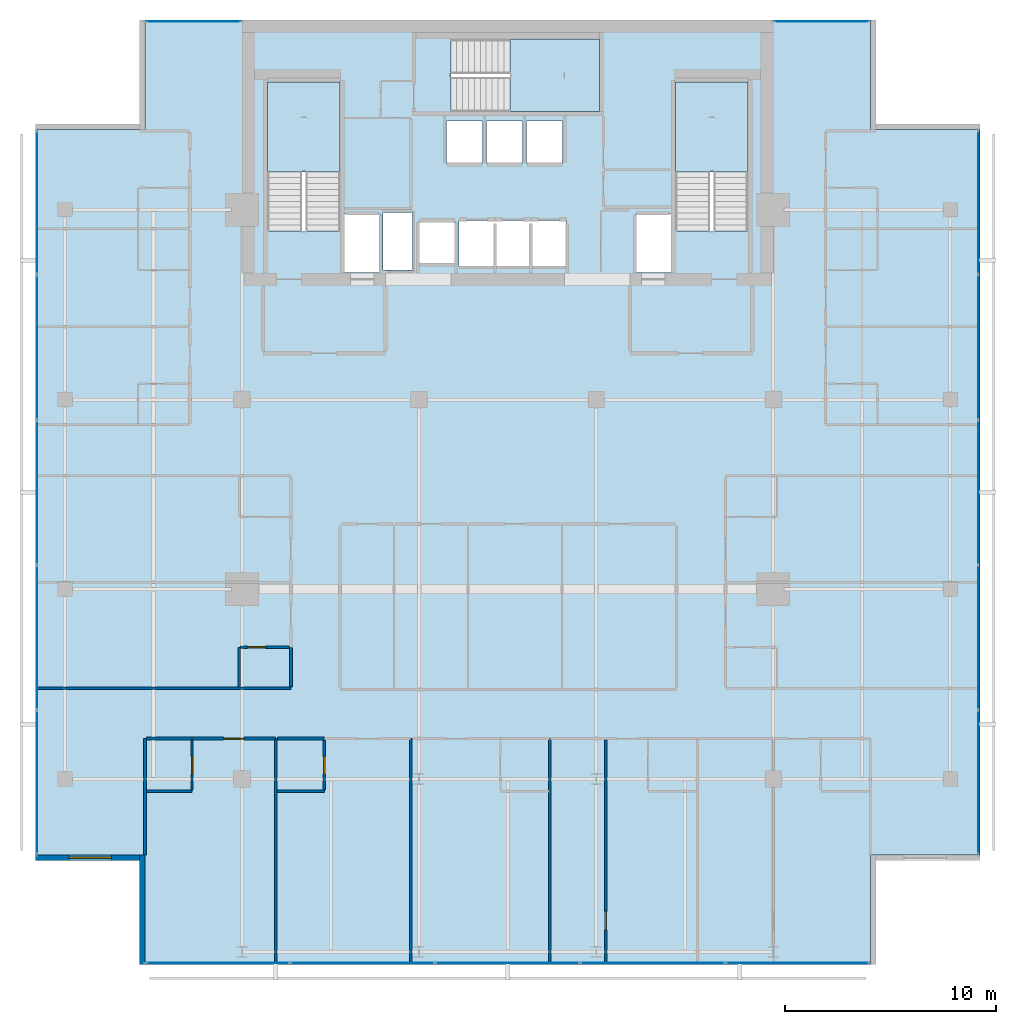
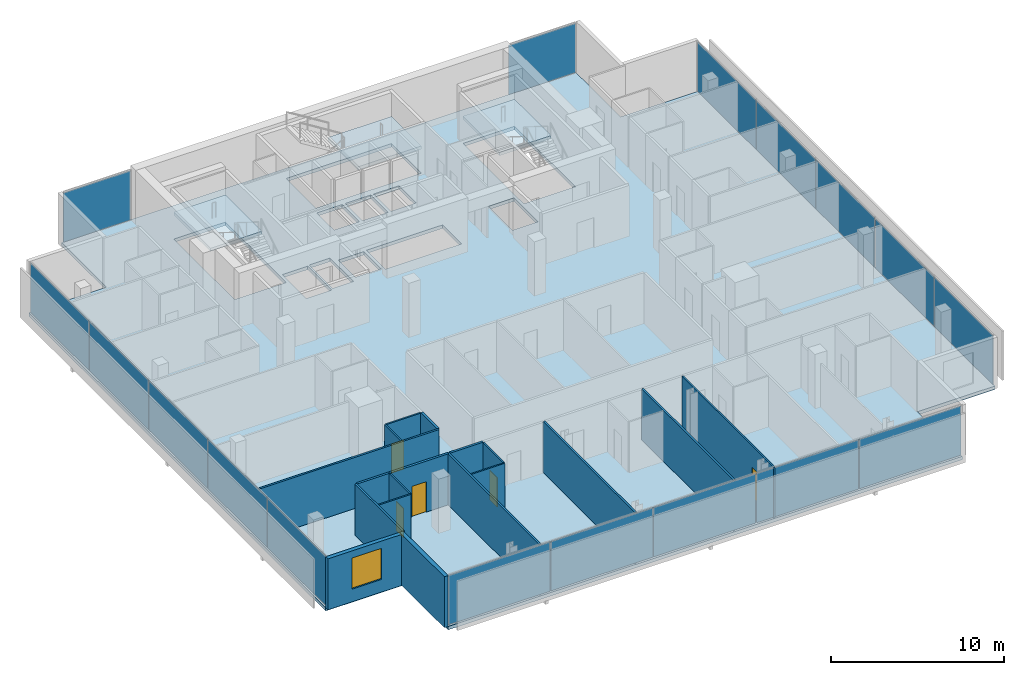
# One storey, part 19 of 26: 18 walls, 17 plates, 5 doors, 4 slabs, 1 window, 6 openings, 8 elements without a shape of their own.
"""IFC4 building model written with IfcOpenShell, lengths in metres."""

from ifc_helpers import new_model, si_unit, direction, frame, frame_2d, origin, origin_2d, place, context, subcontext, project, spatial, polyline, rectangle, outline, extrude, material, layer, layer_set, type_object, element, fill, aggregate, save


model = new_model("IFC4")

# Units and contexts
model_context = context("Model", 3, precision=1e-05, world=origin(), true_north=direction((0.0, 1.0)))
body_context = subcontext(model_context, "Body", "Model", "MODEL_VIEW")
ifc_project = project(units=[si_unit("LENGTHUNIT", "METRE"), si_unit("AREAUNIT", "SQUARE_METRE"), si_unit("VOLUMEUNIT", "CUBIC_METRE"), si_unit("PLANEANGLEUNIT", "RADIAN"), si_unit("MASSUNIT", "GRAM", prefix="KILO")], contexts=[model_context])

# Site, building, storey
site_placement = place(None, origin())
site = spatial("IfcSite", under=ifc_project, at=site_placement, CompositionType="ELEMENT")
building_placement = place(site_placement, origin())
building = spatial("IfcBuilding", under=site, at=building_placement, Name="Maruvema Waterfront Hotel and Observation Tower", CompositionType="ELEMENT")
storey_placement = place(building_placement, frame((0.0, 0.0, 285.60009765625)))
storey = spatial("IfcBuildingStorey", under=building, at=storey_placement, Name="L70", CompositionType="ELEMENT", Elevation=285.60009765625)

# Slab
ifc_material_1 = material(Name="Concrete C50/60", Category="concrete")
ifc_layer_1 = layer(ifc_material_1, 0.239990234375, Name="Reinforced Concrete Floor Slab 240 mm")
ifc_layer_set_1 = layer_set([ifc_layer_1], Name="Concrete C50/60")
slab_type_1 = type_object("IfcSlabType", Name="Reinforced Concrete Floor Slab 240 mm", PredefinedType="FLOOR", material=ifc_layer_set_1)
slab_1_placement = place(storey_placement, frame((0.0, 0.0, -0.239990234375)))
element("IfcSlab", 1, at=slab_1_placement, inside=storey, type_object=slab_type_1, Name="L70 Structural Floor Slab", PredefinedType="FLOOR", context=body_context, shape_type="SweptSolid", body=[
    extrude(outline(polyline([(20.60009765625, 9.199951171875), (55.0, 9.199951171875), (55.0, 14.39990234375), (60.199951171875, 14.39990234375), (60.199951171875, 48.800048828125), (55.0, 48.800048828125), (55.0, 54.0), (20.60009765625, 54.0), (20.60009765625, 48.800048828125), (15.39990234375, 48.800048828125), (15.39990234375, 14.39990234375), (20.60009765625, 14.39990234375), (20.60009765625, 9.199951171875)]), holes=[polyline([(26.39990234375, 44.00048828125), (26.39990234375, 51.050048828125), (29.85009765625, 51.050048828125), (29.85009765625, 44.00048828125), (26.39990234375, 44.00048828125)]), polyline([(30.050048828125, 44.800048828125), (31.75, 44.800048828125), (31.75, 42.02001953125), (30.050048828125, 42.02001953125), (30.050048828125, 44.800048828125)]), polyline([(31.8798828125, 42.139892578125), (31.8798828125, 44.860107421875), (33.280029296875, 44.860107421875), (33.280029296875, 42.139892578125), (31.8798828125, 42.139892578125)]), polyline([(33.60009765625, 44.449951171875), (35.300048828125, 44.449951171875), (35.300048828125, 42.449951171875), (33.60009765625, 42.449951171875), (33.60009765625, 44.449951171875)]), polyline([(34.89990234375, 49.199951171875), (36.60009765625, 49.199951171875), (36.60009765625, 47.199951171875), (34.89990234375, 47.199951171875), (34.89990234375, 49.199951171875)]), polyline([(36.800048828125, 47.199951171875), (36.800048828125, 49.199951171875), (38.5, 49.199951171875), (38.5, 47.199951171875), (36.800048828125, 47.199951171875)]), polyline([(35.5, 42.300048828125), (35.5, 44.5), (40.60009765625, 44.5), (40.60009765625, 42.300048828125), (35.5, 42.300048828125)]), polyline([(35.1005859375, 53.10009765625), (42.14990234375, 53.10009765625), (42.14990234375, 49.64990234375), (35.1005859375, 49.64990234375), (35.1005859375, 53.10009765625)]), polyline([(38.699951171875, 49.199951171875), (40.39990234375, 49.199951171875), (40.39990234375, 47.199951171875), (38.699951171875, 47.199951171875), (38.699951171875, 49.199951171875)]), polyline([(43.85009765625, 44.800048828125), (45.550048828125, 44.800048828125), (45.550048828125, 42.02001953125), (43.85009765625, 42.02001953125), (43.85009765625, 44.800048828125)]), polyline([(45.75, 44.00048828125), (45.75, 51.050048828125), (49.199951171875, 51.050048828125), (49.199951171875, 44.00048828125), (45.75, 44.00048828125)])]), origin(), (0.0, 0.0, 1.0), 0.239990234375),
])

# Curtain wall, plates
ifc_material_2 = material(Name="Anodised bronze aluminium and solar-control low-E IGU", Category="aluminium")
ifc_layer_2 = layer(ifc_material_2, 0.159912109375, Name="Zone 3 Champagne Inner Thermal Curtain Wall System CW-04")
ifc_layer_set_2 = layer_set([ifc_layer_2], Name="Anodised bronze aluminium and solar-control low-E IGU")
curtain_wall_type = type_object("IfcCurtainWallType", Name="Zone 3 Champagne Inner Thermal Curtain Wall System CW-04", PredefinedType="USERDEFINED", material=ifc_layer_set_2)
curtain_wall_1_placement = place(storey_placement, origin())
curtain_wall_1 = element("IfcCurtainWall", 2, at=curtain_wall_1_placement, inside=storey, type_object=curtain_wall_type, Name="L70 Curtain Wall CW-L70-S", ObjectType="UNITISED CURTAIN WALL", PredefinedType="USERDEFINED")
ifc_material_3 = material(Name="Laminated low-E solar-control double glazing", Category="glass")
ifc_layer_3 = layer(ifc_material_3, 0.035888671875, Name="Solar Control Double-Glazed Curtain Panel 36 mm")
ifc_layer_set_3 = layer_set([ifc_layer_3], Name="Laminated low-E solar-control double glazing")
plate_type = type_object("IfcPlateType", Name="Solar Control Double-Glazed Curtain Panel 36 mm", PredefinedType="CURTAIN_PANEL", material=ifc_layer_set_3)
plate_1_placement = place(storey_placement, frame((24.054931640625, 9.280029296875, 0.06005859375), z_axis=(0.0, 0.0, 1.0), x_axis=(1.0, 0.0, 0.0)))
plate_1 = element("IfcPlate", 3, at=plate_1_placement, type_object=plate_type, Name="CW-04 panel 1.1", PredefinedType="CURTAIN_PANEL", context=body_context, shape_type="SweptSolid", body=[
    extrude(rectangle(XDim=6.7900390625, YDim=0.028076171875, at=origin_2d()), origin(), (0.0, 0.0, 1.0), 3.489990234375),
])
plate_2_placement = place(storey_placement, frame((30.919921875, 9.280029296875, 0.06005859375), z_axis=(0.0, 0.0, 1.0), x_axis=(1.0, 0.0, 0.0)))
plate_2 = element("IfcPlate", 4, at=plate_2_placement, type_object=plate_type, Name="CW-04 panel 2.1", PredefinedType="CURTAIN_PANEL", context=body_context, shape_type="SweptSolid", body=[
    extrude(rectangle(XDim=6.820068359375, YDim=0.028076171875, at=origin_2d()), origin(), (0.0, 0.0, 1.0), 3.489990234375),
])
plate_3_placement = place(storey_placement, frame((37.800048828125, 9.280029296875, 0.06005859375), z_axis=(0.0, 0.0, 1.0), x_axis=(1.0, 0.0, 0.0)))
plate_3 = element("IfcPlate", 5, at=plate_3_placement, type_object=plate_type, Name="CW-04 panel 3.1", PredefinedType="CURTAIN_PANEL", context=body_context, shape_type="SweptSolid", body=[
    extrude(rectangle(XDim=6.820068359375, YDim=0.028076171875, at=origin_2d()), origin(), (0.0, 0.0, 1.0), 3.489990234375),
])
plate_4_placement = place(storey_placement, frame((44.679931640625, 9.280029296875, 0.06005859375), z_axis=(0.0, 0.0, 1.0), x_axis=(1.0, 0.0, 0.0)))
plate_4 = element("IfcPlate", 6, at=plate_4_placement, type_object=plate_type, Name="CW-04 panel 4.1", PredefinedType="CURTAIN_PANEL", context=body_context, shape_type="SweptSolid", body=[
    extrude(rectangle(XDim=6.820068359375, YDim=0.028076171875, at=origin_2d()), origin(), (0.0, 0.0, 1.0), 3.489990234375),
])
plate_5_placement = place(storey_placement, frame((51.544921875, 9.280029296875, 0.06005859375), z_axis=(0.0, 0.0, 1.0), x_axis=(1.0, 0.0, 0.0)))
plate_5 = element("IfcPlate", 7, at=plate_5_placement, type_object=plate_type, Name="CW-04 panel 5.1", PredefinedType="CURTAIN_PANEL", context=body_context, shape_type="SweptSolid", body=[
    extrude(rectangle(XDim=6.7900390625, YDim=0.028076171875, at=origin_2d()), origin(), (0.0, 0.0, 1.0), 3.489990234375),
])
aggregate(curtain_wall_1, [plate_1, plate_2, plate_3, plate_4, plate_5])

curtain_wall_2_placement = place(storey_placement, origin())
curtain_wall_2 = element("IfcCurtainWall", 8, at=curtain_wall_2_placement, inside=storey, type_object=curtain_wall_type, Name="L70 Curtain Wall CW-L70-E", ObjectType="UNITISED CURTAIN WALL", PredefinedType="USERDEFINED")
plate_6_placement = place(storey_placement, frame((60.1201171875, 17.85498046875, 0.06005859375), z_axis=(0.0, 0.0, 1.0), x_axis=(0.0, 1.0, 0.0)))
plate_6 = element("IfcPlate", 9, at=plate_6_placement, type_object=plate_type, Name="CW-04 panel 1.1", PredefinedType="CURTAIN_PANEL", context=body_context, shape_type="SweptSolid", body=[
    extrude(rectangle(XDim=6.7900390625, YDim=0.028076171875, at=origin_2d()), origin(), (0.0, 0.0, 1.0), 3.489990234375),
])
plate_7_placement = place(storey_placement, frame((60.1201171875, 24.719970703125, 0.06005859375), z_axis=(0.0, 0.0, 1.0), x_axis=(0.0, 1.0, 0.0)))
plate_7 = element("IfcPlate", 10, at=plate_7_placement, type_object=plate_type, Name="CW-04 panel 2.1", PredefinedType="CURTAIN_PANEL", context=body_context, shape_type="SweptSolid", body=[
    extrude(rectangle(XDim=6.820068359375, YDim=0.028076171875, at=origin_2d()), origin(), (0.0, 0.0, 1.0), 3.489990234375),
])
plate_8_placement = place(storey_placement, frame((60.1201171875, 31.60009765625, 0.06005859375), z_axis=(0.0, 0.0, 1.0), x_axis=(0.0, 1.0, 0.0)))
plate_8 = element("IfcPlate", 11, at=plate_8_placement, type_object=plate_type, Name="CW-04 panel 3.1", PredefinedType="CURTAIN_PANEL", context=body_context, shape_type="SweptSolid", body=[
    extrude(rectangle(XDim=6.820068359375, YDim=0.028076171875, at=origin_2d()), origin(), (0.0, 0.0, 1.0), 3.489990234375),
])
plate_9_placement = place(storey_placement, frame((60.1201171875, 38.47998046875, 0.06005859375), z_axis=(0.0, 0.0, 1.0), x_axis=(0.0, 1.0, 0.0)))
plate_9 = element("IfcPlate", 12, at=plate_9_placement, type_object=plate_type, Name="CW-04 panel 4.1", PredefinedType="CURTAIN_PANEL", context=body_context, shape_type="SweptSolid", body=[
    extrude(rectangle(XDim=6.820068359375, YDim=0.028076171875, at=origin_2d()), origin(), (0.0, 0.0, 1.0), 3.489990234375),
])
plate_10_placement = place(storey_placement, frame((60.1201171875, 45.344970703125, 0.06005859375), z_axis=(0.0, 0.0, 1.0), x_axis=(0.0, 1.0, 0.0)))
plate_10 = element("IfcPlate", 13, at=plate_10_placement, type_object=plate_type, Name="CW-04 panel 5.1", PredefinedType="CURTAIN_PANEL", context=body_context, shape_type="SweptSolid", body=[
    extrude(rectangle(XDim=6.7900390625, YDim=0.028076171875, at=origin_2d()), origin(), (0.0, 0.0, 1.0), 3.489990234375),
])
aggregate(curtain_wall_2, [plate_6, plate_7, plate_8, plate_9, plate_10])

curtain_wall_3_placement = place(storey_placement, origin())
curtain_wall_3 = element("IfcCurtainWall", 14, at=curtain_wall_3_placement, inside=storey, type_object=curtain_wall_type, Name="L70 Curtain Wall CW-L70-W", ObjectType="UNITISED CURTAIN WALL", PredefinedType="USERDEFINED")
plate_11_placement = place(storey_placement, frame((15.47998046875, 45.344970703125, 0.06005859375), z_axis=(0.0, 0.0, 1.0), x_axis=(0.0, -1.0, 0.0)))
plate_11 = element("IfcPlate", 15, at=plate_11_placement, type_object=plate_type, Name="CW-04 panel 1.1", PredefinedType="CURTAIN_PANEL", context=body_context, shape_type="SweptSolid", body=[
    extrude(rectangle(XDim=6.7900390625, YDim=0.028076171875, at=origin_2d()), origin(), (0.0, 0.0, 1.0), 3.489990234375),
])
plate_12_placement = place(storey_placement, frame((15.47998046875, 38.47998046875, 0.06005859375), z_axis=(0.0, 0.0, 1.0), x_axis=(0.0, -1.0, 0.0)))
plate_12 = element("IfcPlate", 16, at=plate_12_placement, type_object=plate_type, Name="CW-04 panel 2.1", PredefinedType="CURTAIN_PANEL", context=body_context, shape_type="SweptSolid", body=[
    extrude(rectangle(XDim=6.820068359375, YDim=0.028076171875, at=origin_2d()), origin(), (0.0, 0.0, 1.0), 3.489990234375),
])
plate_13_placement = place(storey_placement, frame((15.47998046875, 31.60009765625, 0.06005859375), z_axis=(0.0, 0.0, 1.0), x_axis=(0.0, -1.0, 0.0)))
plate_13 = element("IfcPlate", 17, at=plate_13_placement, type_object=plate_type, Name="CW-04 panel 3.1", PredefinedType="CURTAIN_PANEL", context=body_context, shape_type="SweptSolid", body=[
    extrude(rectangle(XDim=6.820068359375, YDim=0.028076171875, at=origin_2d()), origin(), (0.0, 0.0, 1.0), 3.489990234375),
])
plate_14_placement = place(storey_placement, frame((15.47998046875, 24.719970703125, 0.06005859375), z_axis=(0.0, 0.0, 1.0), x_axis=(0.0, -1.0, 0.0)))
plate_14 = element("IfcPlate", 18, at=plate_14_placement, type_object=plate_type, Name="CW-04 panel 4.1", PredefinedType="CURTAIN_PANEL", context=body_context, shape_type="SweptSolid", body=[
    extrude(rectangle(XDim=6.820068359375, YDim=0.028076171875, at=origin_2d()), origin(), (0.0, 0.0, 1.0), 3.489990234375),
])
plate_15_placement = place(storey_placement, frame((15.47998046875, 17.85498046875, 0.06005859375), z_axis=(0.0, 0.0, 1.0), x_axis=(0.0, -1.0, 0.0)))
plate_15 = element("IfcPlate", 19, at=plate_15_placement, type_object=plate_type, Name="CW-04 panel 5.1", PredefinedType="CURTAIN_PANEL", context=body_context, shape_type="SweptSolid", body=[
    extrude(rectangle(XDim=6.7900390625, YDim=0.028076171875, at=origin_2d()), origin(), (0.0, 0.0, 1.0), 3.489990234375),
])
aggregate(curtain_wall_3, [plate_11, plate_12, plate_13, plate_14, plate_15])

# Curtain wall, plate
curtain_wall_4_placement = place(storey_placement, origin())
curtain_wall_4 = element("IfcCurtainWall", 20, at=curtain_wall_4_placement, inside=storey, type_object=curtain_wall_type, Name="L70 Curtain Wall CW-L70-NW", ObjectType="UNITISED CURTAIN WALL", PredefinedType="USERDEFINED")
plate_16_placement = place(storey_placement, frame((22.89990234375, 53.919921875, 0.06005859375), z_axis=(0.0, 0.0, 1.0), x_axis=(-1.0, 0.0, 0.0)))
plate_16 = element("IfcPlate", 21, at=plate_16_placement, type_object=plate_type, Name="CW-04 panel 1.1", PredefinedType="CURTAIN_PANEL", context=body_context, shape_type="SweptSolid", body=[
    extrude(rectangle(XDim=4.47998046875, YDim=0.028076171875, at=origin_2d()), origin(), (0.0, 0.0, 1.0), 3.489990234375),
])
aggregate(curtain_wall_4, [plate_16])

curtain_wall_5_placement = place(storey_placement, origin())
curtain_wall_5 = element("IfcCurtainWall", 22, at=curtain_wall_5_placement, inside=storey, type_object=curtain_wall_type, Name="L70 Curtain Wall CW-L70-NE", ObjectType="UNITISED CURTAIN WALL", PredefinedType="USERDEFINED")
plate_17_placement = place(storey_placement, frame((52.699951171875, 53.919921875, 0.06005859375), z_axis=(0.0, 0.0, 1.0), x_axis=(-1.0, 0.0, 0.0)))
plate_17 = element("IfcPlate", 23, at=plate_17_placement, type_object=plate_type, Name="CW-04 panel 1.1", PredefinedType="CURTAIN_PANEL", context=body_context, shape_type="SweptSolid", body=[
    extrude(rectangle(XDim=4.47998046875, YDim=0.028076171875, at=origin_2d()), origin(), (0.0, 0.0, 1.0), 3.489990234375),
])
aggregate(curtain_wall_5, [plate_17])

# Stair, slab
ifc_material_4 = material(Name="Concrete C50/60", Category="concrete")
stair_type = type_object("IfcStairType", Name="Dogleg Exit Stair 1650 mm (22R x 175.0 mm)", PredefinedType="HALF_TURN_STAIR", material=ifc_material_4)
stair_1_placement = place(storey_placement, origin())
stair_1 = element("IfcStair", 24, at=stair_1_placement, inside=storey, type_object=stair_type, Name="L70 ST-01", PredefinedType="HALF_TURN_STAIR")
ifc_material_5 = material(Name="Concrete C50/60", Category="concrete")
ifc_layer_4 = layer(ifc_material_5, 0.219970703125, Name="Stair Concrete Landing Slab 220 mm")
ifc_layer_set_4 = layer_set([ifc_layer_4], Name="Concrete C50/60")
slab_type_2 = type_object("IfcSlabType", Name="Stair Concrete Landing Slab 220 mm", PredefinedType="LANDING", material=ifc_layer_set_4)
slab_2_placement = place(storey_placement, frame((0.0, 0.0, 1.704833984375)))
slab_2 = element("IfcSlab", 25, at=slab_2_placement, type_object=slab_type_2, Name="ST-01 landing 1", PredefinedType="LANDING", context=body_context, shape_type="SweptSolid", body=[
    extrude(outline(polyline([(29.85009765625, 46.800048828125), (29.85009765625, 51.050048828125), (26.39990234375, 51.050048828125), (26.39990234375, 46.800048828125), (29.85009765625, 46.800048828125)])), origin(), (0.0, 0.0, 1.0), 0.219970703125),
])
aggregate(stair_1, [slab_2])

stair_2_placement = place(storey_placement, origin())
stair_2 = element("IfcStair", 26, at=stair_2_placement, inside=storey, type_object=stair_type, Name="L70 ST-02", PredefinedType="HALF_TURN_STAIR")
slab_3_placement = place(storey_placement, frame((0.0, 0.0, 1.704833984375)))
slab_3 = element("IfcSlab", 27, at=slab_3_placement, type_object=slab_type_2, Name="ST-02 landing 1", PredefinedType="LANDING", context=body_context, shape_type="SweptSolid", body=[
    extrude(outline(polyline([(37.89990234375, 49.64990234375), (42.14990234375, 49.64990234375), (42.14990234375, 53.10009765625), (37.89990234375, 53.10009765625), (37.89990234375, 49.64990234375)])), origin(), (0.0, 0.0, 1.0), 0.219970703125),
])
aggregate(stair_2, [slab_3])

stair_3_placement = place(storey_placement, origin())
stair_3 = element("IfcStair", 28, at=stair_3_placement, inside=storey, type_object=stair_type, Name="L70 ST-03", PredefinedType="HALF_TURN_STAIR")
slab_4_placement = place(storey_placement, frame((0.0, 0.0, 1.704833984375)))
slab_4 = element("IfcSlab", 29, at=slab_4_placement, type_object=slab_type_2, Name="ST-03 landing 1", PredefinedType="LANDING", context=body_context, shape_type="SweptSolid", body=[
    extrude(outline(polyline([(49.199951171875, 46.800048828125), (49.199951171875, 51.050048828125), (45.75, 51.050048828125), (45.75, 46.800048828125), (49.199951171875, 46.800048828125)])), origin(), (0.0, 0.0, 1.0), 0.219970703125),
])
aggregate(stair_3, [slab_4])

# Wall
ifc_material_6 = material(Name="Twin-stud acoustic gypsum drywall", Category="gypsum")
ifc_layer_5 = layer(ifc_material_6, 0.14990234375, Name="Acoustic Corridor and Suite Demising Wall 150 mm")
ifc_layer_set_5 = layer_set([ifc_layer_5], Name="Twin-stud acoustic gypsum drywall")
wall_type_1 = type_object("IfcWallType", Name="Acoustic Corridor and Suite Demising Wall 150 mm", PredefinedType="PARTITIONING", material=ifc_layer_set_5)
wall_1_placement = place(storey_placement, frame((20.679931640625, 19.919921875, 0.0), z_axis=(0.0, 0.0, 1.0), x_axis=(1.0, 0.0, 0.0)))
element("IfcWall", 30, at=wall_1_placement, inside=storey, type_object=wall_type_1, Name="L70 Bath L70-S1 Back Wall 033", PredefinedType="PARTITIONING", context=body_context, shape_type="SweptSolid", body=[
    extrude(rectangle(XDim=2.150146484375, YDim=0.14990234375, at=frame_2d((1.0751953125, 0.0))), origin(), (0.0, 0.0, 1.0), 3.60986328125),
])

# Wall, opening, door
wall_2_placement = place(storey_placement, frame((22.830078125, 19.919921875, 0.0), z_axis=(0.0, 0.0, 1.0), x_axis=(1.0, 0.0, 0.0)))
wall_2 = element("IfcWall", 31, at=wall_2_placement, inside=storey, type_object=wall_type_1, Name="L70 Unit L70-S1 Corridor Wall 036", PredefinedType="PARTITIONING", context=body_context, shape_type="SweptSolid", body=[
    extrude(rectangle(XDim=3.949951171875, YDim=0.14990234375, at=frame_2d((1.97509765625, 0.0))), origin(), (0.0, 0.0, 1.0), 3.60986328125),
])
opening_1_placement = place(wall_2_placement, frame((1.5, 0.0, 0.0)))
opening_1 = element("IfcOpeningElement", 32, at=opening_1_placement, cuts=wall_2, Name="Opening DR-095", PredefinedType="OPENING", context=body_context, shape_type="SweptSolid", body=[
    extrude(rectangle(XDim=0.949951171875, YDim=2.14990234375, at=frame_2d((0.47509765625, 1.074951171875))), frame((0.0, 0.0849609375, 0.0), z_axis=(0.0, -1.0, 0.0), x_axis=(1.0, 0.0, 0.0)), (0.0, 0.0, 1.0), 0.169921875),
])
ifc_material_7 = material(Name="Acoustic solid-core hardwood timber leaf", Category="wood")
door_type_1 = type_object("IfcDoorType", Name="Guestroom Entrance Fire Door 950x2150 mm", OperationType="NOTDEFINED", PredefinedType="DOOR", material=ifc_material_7)
door_1_placement = place(opening_1_placement, frame((0.949951171875, 0.0, 0.0), z_axis=(0.0, 0.0, 1.0), x_axis=(-1.0, 0.0, 0.0)))
door_1 = element("IfcDoor", 33, at=door_1_placement, inside=storey, type_object=door_type_1, Name="L70 Unit L70-S1 Entrance Door", OperationType="SINGLE_SWING_LEFT", OverallHeight=2.14990234375, OverallWidth=0.949951171875, PredefinedType="DOOR", context=body_context, shape_type="SweptSolid", body=[
    extrude(rectangle(XDim=0.949951171875, YDim=2.14990234375, at=frame_2d((0.47509765625, 1.074951171875))), frame((0.0, 0.02490234375, 0.0), z_axis=(0.0, -1.0, 0.0), x_axis=(1.0, 0.0, 0.0)), (0.0, 0.0, 1.0), 0.050048828125),
])
fill(opening_1, door_1)

# Walls
wall_3_placement = place(storey_placement, frame((26.8798828125, 19.919921875, 0.0), z_axis=(0.0, 0.0, 1.0), x_axis=(1.0, 0.0, 0.0)))
element("IfcWall", 34, at=wall_3_placement, inside=storey, type_object=wall_type_1, Name="L70 Bath L70-S2 Back Wall 038", PredefinedType="PARTITIONING", context=body_context, shape_type="SweptSolid", body=[
    extrude(rectangle(XDim=2.22021484375, YDim=0.14990234375, at=frame_2d((1.110107421875, 0.0))), origin(), (0.0, 0.0, 1.0), 3.60986328125),
])
wall_4_placement = place(storey_placement, frame((27.52001953125, 22.360107421875, 0.0), z_axis=(0.0, 0.0, 1.0), x_axis=(0.0, 1.0, 0.0)))
element("IfcWall", 35, at=wall_4_placement, inside=storey, type_object=wall_type_1, Name="L70 Bath L70-W1 Wall 065", PredefinedType="PARTITIONING", context=body_context, shape_type="SweptSolid", body=[
    extrude(rectangle(XDim=1.889892578125, YDim=0.14990234375, at=frame_2d((0.94482421875, 0.0))), origin(), (0.0, 0.0, 1.0), 3.60986328125),
])
ifc_material_8 = material(Name="Moisture-resistant cement-board drywall", Category="gypsum")
ifc_layer_6 = layer(ifc_material_8, 0.10009765625, Name="En-Suite Moisture-Resistant Partition 100 mm")
ifc_layer_set_6 = layer_set([ifc_layer_6], Name="Moisture-resistant cement-board drywall")
wall_type_2 = type_object("IfcWallType", Name="En-Suite Moisture-Resistant Partition 100 mm", PredefinedType="PARTITIONING", material=ifc_layer_set_6)
wall_5_placement = place(storey_placement, frame((20.679931640625, 17.419921875, 0.0), z_axis=(0.0, 0.0, 1.0), x_axis=(1.0, 0.0, 0.0)))
element("IfcWall", 36, at=wall_5_placement, inside=storey, type_object=wall_type_2, Name="L70 En-Suite L70-S1 South 034", PredefinedType="PARTITIONING", context=body_context, shape_type="SweptSolid", body=[
    extrude(rectangle(XDim=2.150146484375, YDim=0.10009765625, at=frame_2d((1.0751953125, 0.0))), origin(), (0.0, 0.0, 1.0), 3.60986328125),
])

# Wall, opening, door
wall_6_placement = place(storey_placement, frame((22.830078125, 17.47998046875, 0.0), z_axis=(0.0, 0.0, 1.0), x_axis=(0.0, 1.0, 0.0)))
wall_6 = element("IfcWall", 37, at=wall_6_placement, inside=storey, type_object=wall_type_2, Name="L70 En-Suite L70-S1 East 035", PredefinedType="PARTITIONING", context=body_context, shape_type="SweptSolid", body=[
    extrude(rectangle(XDim=2.340087890625, YDim=0.10009765625, at=frame_2d((1.169921875, 0.0))), origin(), (0.0, 0.0, 1.0), 3.60986328125),
])
opening_2_placement = place(wall_6_placement, frame((0.7451171875, 0.0, 0.0)))
opening_2 = element("IfcOpeningElement", 38, at=opening_2_placement, cuts=wall_6, Name="Opening DR-085", PredefinedType="OPENING", context=body_context, shape_type="SweptSolid", body=[
    extrude(rectangle(XDim=0.85009765625, YDim=2.10009765625, at=frame_2d((0.425048828125, 1.050048828125))), frame((0.0, 0.06005859375, 0.0), z_axis=(0.0, -1.0, 0.0), x_axis=(1.0, 0.0, 0.0)), (0.0, 0.0, 1.0), 0.1201171875),
])
ifc_material_9 = material(Name="Moisture-resistant solid timber leaf", Category="wood")
door_type_2 = type_object("IfcDoorType", Name="En-Suite Bathroom Door 850x2100 mm", OperationType="NOTDEFINED", PredefinedType="DOOR", material=ifc_material_9)
door_2_placement = place(opening_2_placement, frame((0.85009765625, 0.0, 0.0), z_axis=(0.0, 0.0, 1.0), x_axis=(-1.0, 0.0, 0.0)))
door_2 = element("IfcDoor", 39, at=door_2_placement, inside=storey, type_object=door_type_2, Name="L70 En-Suite L70-S1 Door", OperationType="SINGLE_SWING_RIGHT", OverallHeight=2.10009765625, OverallWidth=0.85009765625, PredefinedType="DOOR", context=body_context, shape_type="SweptSolid", body=[
    extrude(rectangle(XDim=0.85009765625, YDim=2.10009765625, at=frame_2d((0.425048828125, 1.050048828125))), frame((0.0, 0.02490234375, 0.0), z_axis=(0.0, -1.0, 0.0), x_axis=(1.0, 0.0, 0.0)), (0.0, 0.0, 1.0), 0.050048828125),
])
fill(opening_2, door_2)

# Wall
wall_7_placement = place(storey_placement, frame((26.8798828125, 17.419921875, 0.0), z_axis=(0.0, 0.0, 1.0), x_axis=(1.0, 0.0, 0.0)))
element("IfcWall", 40, at=wall_7_placement, inside=storey, type_object=wall_type_2, Name="L70 En-Suite L70-S2 South 039", PredefinedType="PARTITIONING", context=body_context, shape_type="SweptSolid", body=[
    extrude(rectangle(XDim=2.22021484375, YDim=0.10009765625, at=frame_2d((1.110107421875, 0.0))), origin(), (0.0, 0.0, 1.0), 3.60986328125),
])

# Wall, opening, door
wall_8_placement = place(storey_placement, frame((29.10009765625, 17.47998046875, 0.0), z_axis=(0.0, 0.0, 1.0), x_axis=(0.0, 1.0, 0.0)))
wall_8 = element("IfcWall", 41, at=wall_8_placement, inside=storey, type_object=wall_type_2, Name="L70 En-Suite L70-S2 East 040", PredefinedType="PARTITIONING", context=body_context, shape_type="SweptSolid", body=[
    extrude(rectangle(XDim=2.340087890625, YDim=0.10009765625, at=frame_2d((1.169921875, 0.0))), origin(), (0.0, 0.0, 1.0), 3.60986328125),
])
opening_3_placement = place(wall_8_placement, frame((0.7451171875, 0.0, 0.0)))
opening_3 = element("IfcOpeningElement", 42, at=opening_3_placement, cuts=wall_8, Name="Opening DR-085", PredefinedType="OPENING", context=body_context, shape_type="SweptSolid", body=[
    extrude(rectangle(XDim=0.85009765625, YDim=2.10009765625, at=frame_2d((0.425048828125, 1.050048828125))), frame((0.0, 0.06005859375, 0.0), z_axis=(0.0, -1.0, 0.0), x_axis=(1.0, 0.0, 0.0)), (0.0, 0.0, 1.0), 0.1201171875),
])
door_3_placement = place(opening_3_placement, frame((0.85009765625, 0.0, 0.0), z_axis=(0.0, 0.0, 1.0), x_axis=(-1.0, 0.0, 0.0)))
door_3 = element("IfcDoor", 43, at=door_3_placement, inside=storey, type_object=door_type_2, Name="L70 En-Suite L70-S2 Door", OperationType="SINGLE_SWING_RIGHT", OverallHeight=2.10009765625, OverallWidth=0.85009765625, PredefinedType="DOOR", context=body_context, shape_type="SweptSolid", body=[
    extrude(rectangle(XDim=0.85009765625, YDim=2.10009765625, at=frame_2d((0.425048828125, 1.050048828125))), frame((0.0, 0.02490234375, 0.0), z_axis=(0.0, -1.0, 0.0), x_axis=(1.0, 0.0, 0.0)), (0.0, 0.0, 1.0), 0.050048828125),
])
fill(opening_3, door_3)

wall_9_placement = place(storey_placement, frame((42.449951171875, 9.22998046875, 0.0), z_axis=(0.0, 0.0, 1.0), x_axis=(0.0, 1.0, 0.0)))
wall_9 = element("IfcWall", 44, at=wall_9_placement, inside=storey, type_object=wall_type_2, Name="L70 Suite L70-S4 Split 053", PredefinedType="PARTITIONING", context=body_context, shape_type="SweptSolid", body=[
    extrude(rectangle(XDim=10.630126953125, YDim=0.10009765625, at=frame_2d((5.31494140625, 0.0))), origin(), (0.0, 0.0, 1.0), 3.60986328125),
])
opening_4_placement = place(wall_9_placement, frame((1.60009765625, 0.0, 0.0)))
opening_4 = element("IfcOpeningElement", 45, at=opening_4_placement, cuts=wall_9, Name="Opening DR-090", PredefinedType="OPENING", context=body_context, shape_type="SweptSolid", body=[
    extrude(rectangle(XDim=0.89990234375, YDim=2.10009765625, at=frame_2d((0.449951171875, 1.050048828125))), frame((0.0, 0.06005859375, 0.0), z_axis=(0.0, -1.0, 0.0), x_axis=(1.0, 0.0, 0.0)), (0.0, 0.0, 1.0), 0.1201171875),
])
ifc_material_10 = material(Name="Solid-core lacquered timber leaf", Category="wood")
door_type_3 = type_object("IfcDoorType", Name="Accessible Toilet and Room Door 900x2100 mm", OperationType="NOTDEFINED", PredefinedType="DOOR", material=ifc_material_10)
door_4_placement = place(opening_4_placement, frame((0.89990234375, 0.0, 0.0), z_axis=(0.0, 0.0, 1.0), x_axis=(-1.0, 0.0, 0.0)))
door_4 = element("IfcDoor", 46, at=door_4_placement, inside=storey, type_object=door_type_3, Name="L70 Suite L70-S4 Bedroom Door", OperationType="SINGLE_SWING_RIGHT", OverallHeight=2.10009765625, OverallWidth=0.89990234375, PredefinedType="DOOR", context=body_context, shape_type="SweptSolid", body=[
    extrude(rectangle(XDim=0.89990234375, YDim=2.10009765625, at=frame_2d((0.449951171875, 1.050048828125))), frame((0.0, 0.02490234375, 0.0), z_axis=(0.0, -1.0, 0.0), x_axis=(1.0, 0.0, 0.0)), (0.0, 0.0, 1.0), 0.050048828125),
])
fill(opening_4, door_4)

# Wall
wall_10_placement = place(storey_placement, frame((25.070068359375, 22.360107421875, 0.0), z_axis=(0.0, 0.0, 1.0), x_axis=(0.0, 1.0, 0.0)))
element("IfcWall", 47, at=wall_10_placement, inside=storey, type_object=wall_type_2, Name="L70 En-Suite L70-W1 W 067", PredefinedType="PARTITIONING", context=body_context, shape_type="SweptSolid", body=[
    extrude(rectangle(XDim=1.889892578125, YDim=0.10009765625, at=frame_2d((0.94482421875, 0.0))), origin(), (0.0, 0.0, 1.0), 3.60986328125),
])

# Wall, opening, door
wall_11_placement = place(storey_placement, frame((25.1201171875, 24.25, 0.0), z_axis=(0.0, 0.0, 1.0), x_axis=(1.0, 0.0, 0.0)))
wall_11 = element("IfcWall", 48, at=wall_11_placement, inside=storey, type_object=wall_type_2, Name="L70 En-Suite L70-W1 N 068", PredefinedType="PARTITIONING", context=body_context, shape_type="SweptSolid", body=[
    extrude(rectangle(XDim=2.2998046875, YDim=0.10009765625, at=frame_2d((1.14990234375, 0.0))), origin(), (0.0, 0.0, 1.0), 3.60986328125),
])
opening_5_placement = place(wall_11_placement, frame((0.35009765625, 0.0, 0.0)))
opening_5 = element("IfcOpeningElement", 49, at=opening_5_placement, cuts=wall_11, Name="Opening DR-085", PredefinedType="OPENING", context=body_context, shape_type="SweptSolid", body=[
    extrude(rectangle(XDim=0.85009765625, YDim=2.10009765625, at=frame_2d((0.425048828125, 1.050048828125))), frame((0.0, 0.06005859375, 0.0), z_axis=(0.0, -1.0, 0.0), x_axis=(1.0, 0.0, 0.0)), (0.0, 0.0, 1.0), 0.1201171875),
])
door_5_placement = place(opening_5_placement, origin())
door_5 = element("IfcDoor", 50, at=door_5_placement, inside=storey, type_object=door_type_2, Name="L70 En-Suite L70-W1 Door", OperationType="SINGLE_SWING_RIGHT", OverallHeight=2.10009765625, OverallWidth=0.85009765625, PredefinedType="DOOR", context=body_context, shape_type="SweptSolid", body=[
    extrude(rectangle(XDim=0.85009765625, YDim=2.10009765625, at=frame_2d((0.425048828125, 1.050048828125))), frame((0.0, 0.02490234375, 0.0), z_axis=(0.0, -1.0, 0.0), x_axis=(1.0, 0.0, 0.0)), (0.0, 0.0, 1.0), 0.050048828125),
])
fill(opening_5, door_5)

# Wall
ifc_material_11 = material(Name="Precast concrete C45/55 with honed Pernambuco granite facing", Category="masonry")
ifc_layer_7 = layer(ifc_material_11, 0.260009765625, Name="Exterior Granite Clad Spandrel and Pier Wall 260 mm")
ifc_layer_set_7 = layer_set([ifc_layer_7], Name="Precast concrete C45/55 with honed Pernambuco granite facing")
wall_type_3 = type_object("IfcWallType", Name="Exterior Granite Clad Spandrel and Pier Wall 260 mm", PredefinedType="SOLIDWALL", material=ifc_layer_set_7)
wall_12_placement = place(storey_placement, frame((20.469970703125, 9.199951171875, 0.0), z_axis=(0.0, 0.0, 1.0), x_axis=(0.0, 1.0, 0.0)))
element("IfcWall", 51, at=wall_12_placement, inside=storey, type_object=wall_type_3, Name="L70 Corner Notch Granite Pier Wall SW1", PredefinedType="SOLIDWALL", context=body_context, shape_type="SweptSolid", body=[
    extrude(rectangle(XDim=5.199951171875, YDim=0.260009765625, at=frame_2d((2.60009765625, 0.0))), origin(), (0.0, 0.0, 1.0), 3.60986328125),
])

# Wall, opening, window
wall_13_placement = place(storey_placement, frame((20.60009765625, 14.27001953125, 0.0), z_axis=(0.0, 0.0, 1.0), x_axis=(-1.0, 0.0, 0.0)))
wall_13 = element("IfcWall", 52, at=wall_13_placement, inside=storey, type_object=wall_type_3, Name="L70 Corner Notch Granite Pier Wall SW2", PredefinedType="SOLIDWALL", context=body_context, shape_type="SweptSolid", body=[
    extrude(rectangle(XDim=5.2001953125, YDim=0.260009765625, at=frame_2d((2.60009765625, 0.0))), origin(), (0.0, 0.0, 1.0), 3.60986328125),
])
opening_6_placement = place(wall_13_placement, frame((1.60009765625, 0.0, 0.89990234375)))
opening_6 = element("IfcOpeningElement", 53, at=opening_6_placement, cuts=wall_13, Name="Opening WN-03", PredefinedType="OPENING", context=body_context, shape_type="SweptSolid", body=[
    extrude(rectangle(XDim=2.0, YDim=2.199951171875, at=frame_2d((1.0, 1.10009765625))), frame((0.0, 0.14013671875, 0.0), z_axis=(0.0, -1.0, 0.0), x_axis=(1.0, 0.0, 0.0)), (0.0, 0.0, 1.0), 0.280029296875),
])
ifc_material_12 = material(Name="Anodised bronze aluminium frame with laminated low-E glass", Category="aluminium")
window_type = type_object("IfcWindowType", Name="Sky Suite Panoramic Notch Window 2000x2200 mm", PartitioningType="SINGLE_PANEL", PredefinedType="WINDOW", material=ifc_material_12)
window_placement = place(opening_6_placement, origin())
window = element("IfcWindow", 54, at=window_placement, inside=storey, type_object=window_type, Name="L70 Corner Notch Punched Window SW2", OverallHeight=2.199951171875, OverallWidth=2.0, PartitioningType="SINGLE_PANEL", PredefinedType="WINDOW", context=body_context, shape_type="SweptSolid", body=[
    extrude(rectangle(XDim=2.0, YDim=2.199951171875, at=frame_2d((1.0, 1.10009765625))), frame((0.0, 0.030029296875, 0.0), z_axis=(0.0, -1.0, 0.0), x_axis=(1.0, 0.0, 0.0)), (0.0, 0.0, 1.0), 0.06005859375),
])
fill(opening_6, window)

# Walls
ifc_material_13 = material(Name="Acoustic gypsum plasterboard drywall", Category="gypsum")
ifc_layer_8 = layer(ifc_material_13, 0.125, Name="Guestroom Acoustic Demising Wall 125 mm")
ifc_layer_set_8 = layer_set([ifc_layer_8], Name="Acoustic gypsum plasterboard drywall")
wall_type_4 = type_object("IfcWallType", Name="Guestroom Acoustic Demising Wall 125 mm", PredefinedType="PARTITIONING", material=ifc_layer_set_8)
wall_14_placement = place(storey_placement, frame((20.60009765625, 14.39990234375, 0.0), z_axis=(0.0, 0.0, 1.0), x_axis=(0.0, 1.0, 0.0)))
element("IfcWall", 55, at=wall_14_placement, inside=storey, type_object=wall_type_4, Name="L70 Z3 S West End 031", PredefinedType="PARTITIONING", context=body_context, shape_type="SweptSolid", body=[
    extrude(rectangle(XDim=5.52001953125, YDim=0.125, at=frame_2d((2.760009765625, 0.0))), origin(), (0.0, 0.0, 1.0), 3.60986328125),
])
for number, where, z_axis, x_axis, name in (
    (56, (26.800048828125, 9.300048828125, 0.0), (0.0, 0.0, 1.0), (0.0, 1.0, 0.0), "L70 Z3 S Demising 2 037"),
    (57, (33.199951171875, 9.300048828125, 0.0), (0.0, 0.0, 1.0), (0.0, 1.0, 0.0), "L70 Z3 S Demising 3 042"),
    (58, (39.800048828125, 9.300048828125, 0.0), (0.0, 0.0, 1.0), (0.0, 1.0, 0.0), "L70 Z3 S Demising 4 047"),
):
    element("IfcWall", number, at=place(storey_placement, frame(where, z_axis=z_axis, x_axis=x_axis)), inside=storey, type_object=wall_type_4, Name=name, PredefinedType="PARTITIONING", context=body_context, shape_type="SweptSolid", body=[
        extrude(rectangle(XDim=10.619873046875, YDim=0.125, at=frame_2d((5.31005859375, 0.0))), origin(), (0.0, 0.0, 1.0), 3.60986328125),
    ])
wall_15_placement = place(storey_placement, frame((15.5, 22.300048828125, 0.0), z_axis=(0.0, 0.0, 1.0), x_axis=(1.0, 0.0, 0.0)))
element("IfcWall", 59, at=wall_15_placement, inside=storey, type_object=wall_type_4, Name="L70 Z3 W Bot End 061", PredefinedType="PARTITIONING", context=body_context, shape_type="SweptSolid", body=[
    extrude(rectangle(XDim=12.02001953125, YDim=0.125, at=frame_2d((6.010009765625, 0.0))), origin(), (0.0, 0.0, 1.0), 3.60986328125),
])

save(model, "model.ifc")
